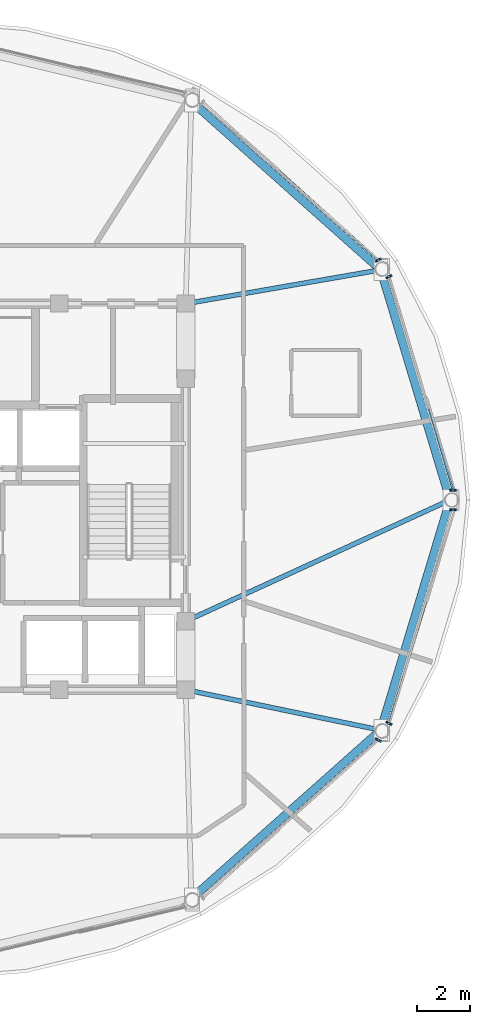
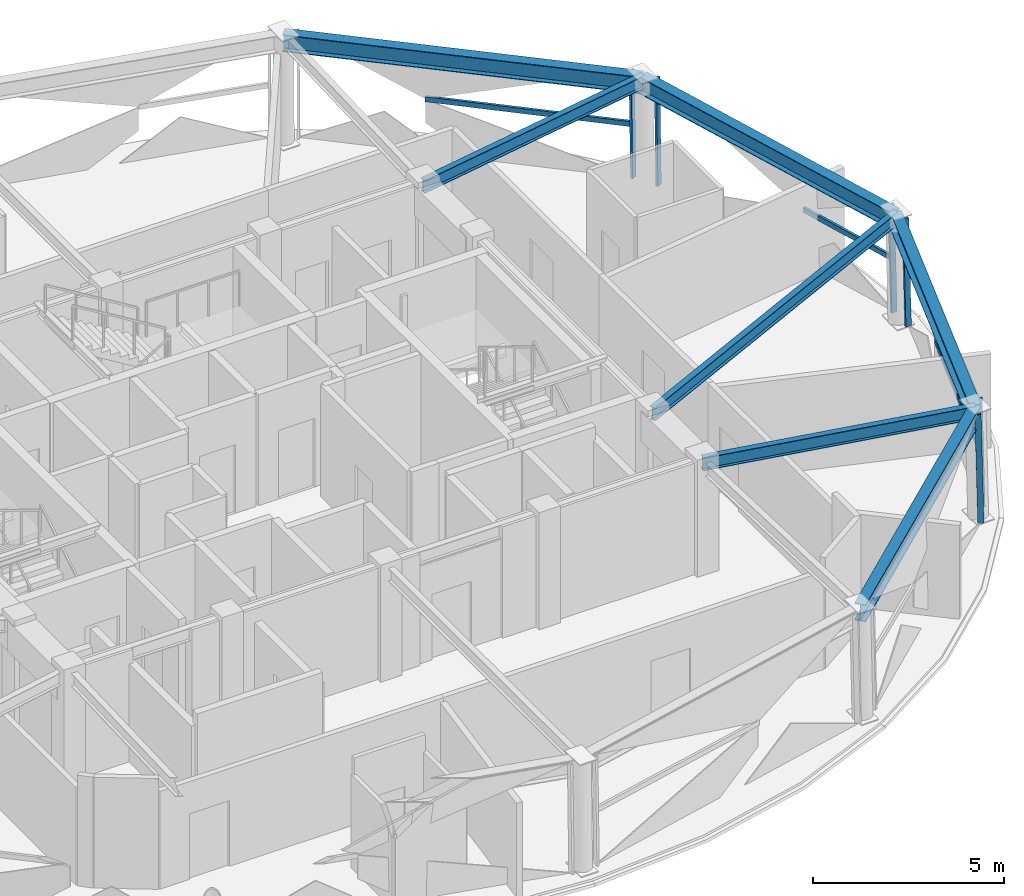
# One storey, part 4 of 14: 9 members, 7 beams, 4 elements without a shape of their own.
"""IFC4 building model written with IfcOpenShell, lengths in metres."""

from ifc_helpers import new_model, si_unit, direction, frame, origin, origin_2d, place, context, subcontext, project, spatial, hollow_rectangle, i_section, extrude, material, layer, layer_set, material_profile, profile_set, type_object, element, aggregate, save


model = new_model("IFC4")

# Units and contexts
model_context = context("Model", 3, precision=1e-05, world=origin(), true_north=direction((0.0, 1.0)))
body_context = subcontext(model_context, "Body", "Model", "MODEL_VIEW")
ifc_project = project(units=[si_unit("LENGTHUNIT", "METRE"), si_unit("AREAUNIT", "SQUARE_METRE"), si_unit("VOLUMEUNIT", "CUBIC_METRE"), si_unit("PLANEANGLEUNIT", "RADIAN"), si_unit("MASSUNIT", "GRAM", prefix="KILO")], contexts=[model_context])

# Site, building, storey
site_placement = place(None, origin())
site = spatial("IfcSite", under=ifc_project, at=site_placement, CompositionType="ELEMENT")
building_placement = place(site_placement, origin())
building = spatial("IfcBuilding", under=site, at=building_placement, Name="Vantalir Tower", CompositionType="ELEMENT")
storey_placement = place(building_placement, frame((0.0, 0.0, 271.35009765625)))
storey = spatial("IfcBuildingStorey", under=building, at=storey_placement, Name="L68", CompositionType="ELEMENT", Elevation=271.35009765625)

# Beams
ifc_material_1 = material(Name="Steel S355", Category="steel")
ifc_material_profile_1 = material_profile(ifc_material_1, i_section(OverallWidth=0.179931640625, OverallDepth=0.4130859375, WebThickness=0.009521484375, FlangeThickness=0.01611328125, at=origin_2d()), Name="Steel S355")
ifc_profile_set_1 = profile_set([ifc_material_profile_1], Name="Steel S355")
beam_type_1 = type_object("IfcBeamType", Name="BM-RB-406x178", PredefinedType="BEAM", material=ifc_profile_set_1)
beam_1_placement = place(storey_placement, frame((51.1298828125, 25.0, 3.364013671875), z_axis=(-0.908957943244, -0.416887823538, 0.0), x_axis=(0.416887823538, -0.908957943244, 0.0)))
element("IfcBeam", 1, at=beam_1_placement, inside=storey, type_object=beam_type_1, Name="L68 Radial Floor Beam 01", PredefinedType="BEAM", context=body_context, shape_type="SweptSolid", body=[
    extrude(i_section(OverallWidth=0.179931640625, OverallDepth=0.4130859375, WebThickness=0.009521484375, FlangeThickness=0.01611328125, at=origin_2d()), origin(), (0.0, 0.0, 1.0), 11.034423828125),
])
beam_2_placement = place(storey_placement, frame((48.5, 33.73388671875, 3.364013671875), z_axis=(-0.985279196907, -0.170952929612, 0.0), x_axis=(0.170952929612, -0.985279196907, 0.0)))
element("IfcBeam", 2, at=beam_2_placement, inside=storey, type_object=beam_type_1, Name="L68 Radial Floor Beam 02", PredefinedType="BEAM", context=body_context, shape_type="SweptSolid", body=[
    extrude(i_section(OverallWidth=0.179931640625, OverallDepth=0.4130859375, WebThickness=0.009521484375, FlangeThickness=0.01611328125, at=origin_2d()), origin(), (0.0, 0.0, 1.0), 7.510498046875),
])
beam_3_placement = place(storey_placement, frame((48.5, 16.26611328125, 3.364013671875), z_axis=(-0.979183655708, 0.202976275447, 0.0), x_axis=(-0.202976275447, -0.979183655708, 0.0)))
element("IfcBeam", 3, at=beam_3_placement, inside=storey, type_object=beam_type_1, Name="L68 Radial Floor Beam 12", PredefinedType="BEAM", context=body_context, shape_type="SweptSolid", body=[
    extrude(i_section(OverallWidth=0.179931640625, OverallDepth=0.4130859375, WebThickness=0.009521484375, FlangeThickness=0.01611328125, at=origin_2d()), origin(), (0.0, 0.0, 1.0), 7.55712890625),
])
ifc_material_2 = material(Name="Steel S460", Category="steel")
ifc_material_profile_2 = material_profile(ifc_material_2, i_section(OverallWidth=0.31201171875, OverallDepth=0.5419921875, WebThickness=0.0126953125, FlangeThickness=0.020263671875, at=origin_2d()), Name="Steel S460")
ifc_profile_set_2 = profile_set([ifc_material_profile_2], Name="Steel S460")
beam_type_2 = type_object("IfcBeamType", Name="BM-RG-533x312", PredefinedType="USERDEFINED", material=ifc_profile_set_2)
beam_4_placement = place(storey_placement, frame((51.1298828125, 25.0, 3.298828125), z_axis=(-0.288325069141, 0.957532586654, 0.0), x_axis=(-0.957532586654, -0.288325069141, 0.0)))
element("IfcBeam", 4, at=beam_4_placement, inside=storey, type_object=beam_type_2, Name="L68 Circumferential Ring Girder 01", ObjectType="GIRDER", PredefinedType="USERDEFINED", context=body_context, shape_type="SweptSolid", body=[
    extrude(i_section(OverallWidth=0.31201171875, OverallDepth=0.5419921875, WebThickness=0.0126953125, FlangeThickness=0.020263671875, at=origin_2d()), origin(), (0.0, 0.0, 1.0), 9.121337890625),
])
for number, where, z_axis, x_axis, name in (
    (5, (48.5, 33.73388671875, 3.298828125), (-0.747031073706, 0.664789120637, 0.0), (-0.664789120637, -0.747031073706, 0.0), "L68 Circumferential Ring Girder 02"),
    (6, (41.31494140625, 9.8720703125, 3.298828125), (0.747031073706, 0.664789120637, 0.0), (-0.664789120637, 0.747031073706, 0.0), "L68 Circumferential Ring Girder 11"),
):
    element("IfcBeam", number, at=place(storey_placement, frame(where, z_axis=z_axis, x_axis=x_axis)), inside=storey, type_object=beam_type_2, Name=name, ObjectType="GIRDER", PredefinedType="USERDEFINED", context=body_context, shape_type="SweptSolid", body=[
        extrude(i_section(OverallWidth=0.31201171875, OverallDepth=0.5419921875, WebThickness=0.0126953125, FlangeThickness=0.020263671875, at=origin_2d()), origin(), (0.0, 0.0, 1.0), 9.6181640625),
    ])
beam_5_placement = place(storey_placement, frame((48.5, 16.26611328125, 3.298828125), z_axis=(0.288325069141, 0.957532586654, 0.0), x_axis=(-0.957532586654, 0.288325069141, 0.0)))
element("IfcBeam", 7, at=beam_5_placement, inside=storey, type_object=beam_type_2, Name="L68 Circumferential Ring Girder 12", ObjectType="GIRDER", PredefinedType="USERDEFINED", context=body_context, shape_type="SweptSolid", body=[
    extrude(i_section(OverallWidth=0.31201171875, OverallDepth=0.5419921875, WebThickness=0.0126953125, FlangeThickness=0.020263671875, at=origin_2d()), origin(), (0.0, 0.0, 1.0), 9.121337890625),
])

# Curtain wall, members
ifc_material_3 = material(Name="Champagne-silver PVDF aluminium and double-silver Low-E glass", Category="aluminium")
ifc_layer = layer(ifc_material_3, 0.219970703125)
ifc_layer_set = layer_set([ifc_layer], Name="Champagne-silver PVDF aluminium and double-silver Low-E glass")
curtain_wall_type = type_object("IfcCurtainWallType", Name="CW-DIAMOND-Z4", PredefinedType="USERDEFINED", material=ifc_layer_set)
curtain_wall_1_placement = place(storey_placement, origin())
curtain_wall_1 = element("IfcCurtainWall", 8, at=curtain_wall_1_placement, inside=storey, type_object=curtain_wall_type, Name="L68 Quilted Pyramid-Diamond Curtain Wall S01", ObjectType="UNITISED CURTAIN WALL", PredefinedType="USERDEFINED")
ifc_material_4 = material(Name="Champagne-silver PVDF aluminium 6063-T6", Category="aluminium")
ifc_material_profile_3 = material_profile(ifc_material_4, hollow_rectangle(XDim=0.070068359375, YDim=0.1650390625, WallThickness=0.00390625, at=origin_2d()), Name="Champagne-silver PVDF aluminium 6063-T6")
ifc_profile_set_3 = profile_set([ifc_material_profile_3], Name="Champagne-silver PVDF aluminium 6063-T6")
member_type_1 = type_object("IfcMemberType", Name="CWM-165x70", PredefinedType="MULLION", material=ifc_profile_set_3)
member_1_placement = place(storey_placement, frame((51.2880859375, 25.373046875, 0.044921875), z_axis=(-0.023004994726, 0.0, 0.999735350089), x_axis=(0.0, -1.0, 0.0)))
member_1 = element("IfcMember", 9, at=member_1_placement, type_object=member_type_1, Name="CW-L68-S01 Mullion 1", PredefinedType="MULLION", context=body_context, shape_type="SweptSolid", body=[
    extrude(hollow_rectangle(XDim=0.070068359375, YDim=0.1650390625, WallThickness=0.00390625, at=origin_2d()), origin(), (0.0, 0.0, 1.0), 3.48095703125),
])
member_2_placement = place(storey_placement, frame((48.845947265625, 33.490966796875, 0.044921875), z_axis=(-0.01977905476, -0.010029804364, 0.999754065767), x_axis=(0.452266765539, -0.891882712462, 0.0)))
member_2 = element("IfcMember", 10, at=member_2_placement, type_object=member_type_1, Name="CW-L68-S01 Mullion 2", PredefinedType="MULLION", context=body_context, shape_type="SweptSolid", body=[
    extrude(hollow_rectangle(XDim=0.070068359375, YDim=0.1650390625, WallThickness=0.00390625, at=origin_2d()), origin(), (0.0, 0.0, 1.0), 3.48095703125),
])

# Curtain wall, member
curtain_wall_2_placement = place(storey_placement, origin())
curtain_wall_2 = element("IfcCurtainWall", 11, at=curtain_wall_2_placement, inside=storey, type_object=curtain_wall_type, Name="L68 Quilted Pyramid-Diamond Curtain Wall S02", ObjectType="UNITISED CURTAIN WALL", PredefinedType="USERDEFINED")
member_3_placement = place(storey_placement, frame((48.443115234375, 34.123046875, 0.044921875), z_axis=(-0.019849151655, -0.01009992169, 0.999751970621), x_axis=(0.453501133358, -0.891255699585, 0.0)))
member_3 = element("IfcMember", 12, at=member_3_placement, type_object=member_type_1, Name="CW-L68-S02 Mullion 1", PredefinedType="MULLION", context=body_context, shape_type="SweptSolid", body=[
    extrude(hollow_rectangle(XDim=0.070068359375, YDim=0.1650390625, WallThickness=0.00390625, at=origin_2d()), origin(), (0.0, 0.0, 1.0), 3.48095703125),
])

curtain_wall_3_placement = place(storey_placement, origin())
curtain_wall_3 = element("IfcCurtainWall", 13, at=curtain_wall_3_placement, inside=storey, type_object=curtain_wall_type, Name="L68 Quilted Pyramid-Diamond Curtain Wall S11", ObjectType="UNITISED CURTAIN WALL", PredefinedType="USERDEFINED")
member_4_placement = place(storey_placement, frame((48.443115234375, 15.8759765625, 0.044921875), z_axis=(-0.01984909463, 0.010380445248, 0.999749098424), x_axis=(-0.463421877407, -0.886137779096, 0.0)))
member_4 = element("IfcMember", 14, at=member_4_placement, type_object=member_type_1, Name="CW-L68-S11 Mullion 2", PredefinedType="MULLION", context=body_context, shape_type="SweptSolid", body=[
    extrude(hollow_rectangle(XDim=0.070068359375, YDim=0.1650390625, WallThickness=0.00390625, at=origin_2d()), origin(), (0.0, 0.0, 1.0), 3.48095703125),
])
aggregate(curtain_wall_3, [member_4])

# Curtain wall, members
curtain_wall_4_placement = place(storey_placement, origin())
curtain_wall_4 = element("IfcCurtainWall", 15, at=curtain_wall_4_placement, inside=storey, type_object=curtain_wall_type, Name="L68 Quilted Pyramid-Diamond Curtain Wall S12", ObjectType="UNITISED CURTAIN WALL", PredefinedType="USERDEFINED")
member_5_placement = place(storey_placement, frame((48.845947265625, 16.508056640625, 0.044921875), z_axis=(-0.019778998325, 0.010310328914, 0.999751213224), x_axis=(-0.462243581644, -0.886752993358, 0.0)))
member_5 = element("IfcMember", 16, at=member_5_placement, type_object=member_type_1, Name="CW-L68-S12 Mullion 1", PredefinedType="MULLION", context=body_context, shape_type="SweptSolid", body=[
    extrude(hollow_rectangle(XDim=0.070068359375, YDim=0.1650390625, WallThickness=0.00390625, at=origin_2d()), origin(), (0.0, 0.0, 1.0), 3.48095703125),
])
member_6_placement = place(storey_placement, frame((51.2880859375, 24.626953125, 0.044921875), z_axis=(-0.023004994726, 0.0, 0.999735350089), x_axis=(0.0, -1.0, 0.0)))
member_6 = element("IfcMember", 17, at=member_6_placement, type_object=member_type_1, Name="CW-L68-S12 Mullion 2", PredefinedType="MULLION", context=body_context, shape_type="SweptSolid", body=[
    extrude(hollow_rectangle(XDim=0.070068359375, YDim=0.1650390625, WallThickness=0.00390625, at=origin_2d()), origin(), (0.0, 0.0, 1.0), 3.48095703125),
])

# Member
ifc_material_profile_4 = material_profile(ifc_material_4, hollow_rectangle(XDim=0.074951171875, YDim=0.159912109375, WallThickness=0.00390625, at=origin_2d()), Name="Champagne-silver PVDF aluminium 6063-T6")
ifc_profile_set_4 = profile_set([ifc_material_profile_4], Name="Champagne-silver PVDF aluminium 6063-T6")
member_type_2 = type_object("IfcMemberType", Name="CWT-160x75", PredefinedType="USERDEFINED", material=ifc_profile_set_4)
member_7_placement = place(storey_placement, frame((51.248046875, 25.373046875, 1.784912109375), z_axis=(-0.280828747055, 0.95975789386, 0.0), x_axis=(-0.95975789386, -0.280828747055, 0.0)))
member_7 = element("IfcMember", 18, at=member_7_placement, type_object=member_type_2, Name="CW-L68-S01 Pyramid Fold Ridge Transom", ObjectType="TRANSOM", PredefinedType="USERDEFINED", context=body_context, shape_type="SweptSolid", body=[
    extrude(hollow_rectangle(XDim=0.074951171875, YDim=0.159912109375, WallThickness=0.00390625, at=origin_2d()), origin(), (0.0, 0.0, 1.0), 3.212158203125),
])

aggregate(curtain_wall_1, [member_1, member_2, member_7])

member_8_placement = place(storey_placement, frame((48.407958984375, 34.10595703125, 1.784912109375), z_axis=(-0.743748814372, 0.668459199294, 0.0), x_axis=(-0.668459199294, -0.743748814372, 0.0)))
member_8 = element("IfcMember", 19, at=member_8_placement, type_object=member_type_2, Name="CW-L68-S02 Pyramid Fold Ridge Transom", ObjectType="TRANSOM", PredefinedType="USERDEFINED", context=body_context, shape_type="SweptSolid", body=[
    extrude(hollow_rectangle(XDim=0.074951171875, YDim=0.159912109375, WallThickness=0.00390625, at=origin_2d()), origin(), (0.0, 0.0, 1.0), 5.551513671875),
])

aggregate(curtain_wall_2, [member_3, member_8])

member_9_placement = place(storey_placement, frame((48.81201171875, 16.52587890625, 1.784912109375), z_axis=(0.292329646993, 0.95631761329, 0.0), x_axis=(-0.95631761329, 0.292329646993, 0.0)))
member_9 = element("IfcMember", 20, at=member_9_placement, type_object=member_type_2, Name="CW-L68-S12 Pyramid Fold Ridge Transom", ObjectType="TRANSOM", PredefinedType="USERDEFINED", context=body_context, shape_type="SweptSolid", body=[
    extrude(hollow_rectangle(XDim=0.074951171875, YDim=0.159912109375, WallThickness=0.00390625, at=origin_2d()), origin(), (0.0, 0.0, 1.0), 5.247314453125),
])

aggregate(curtain_wall_4, [member_5, member_6, member_9])

save(model, "model.ifc")
